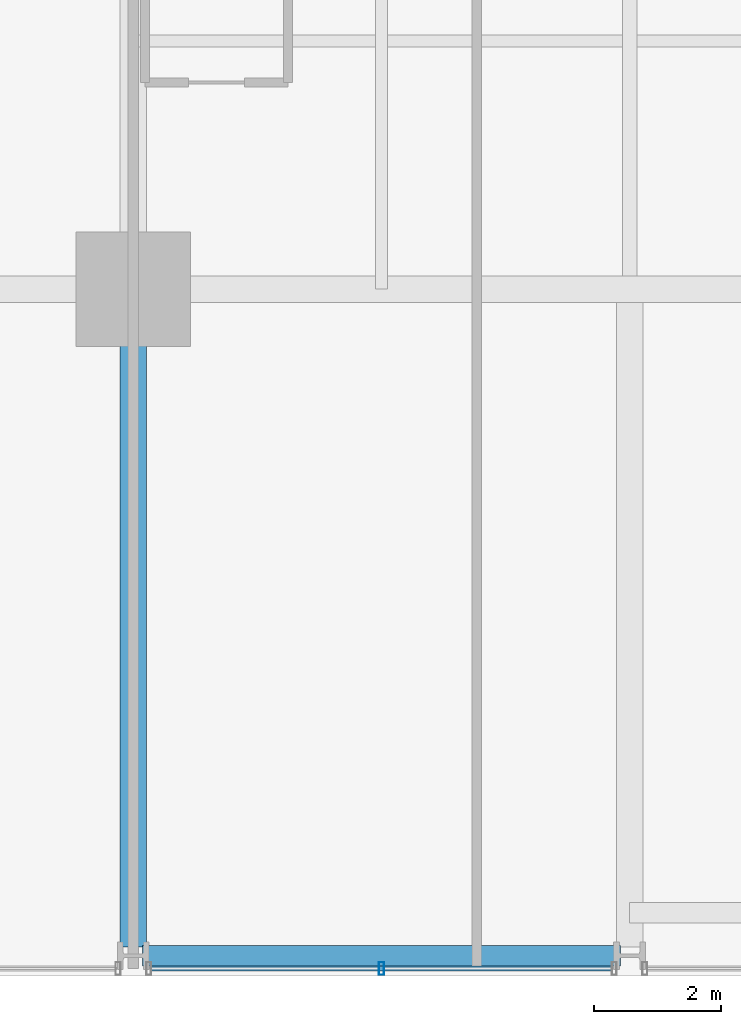
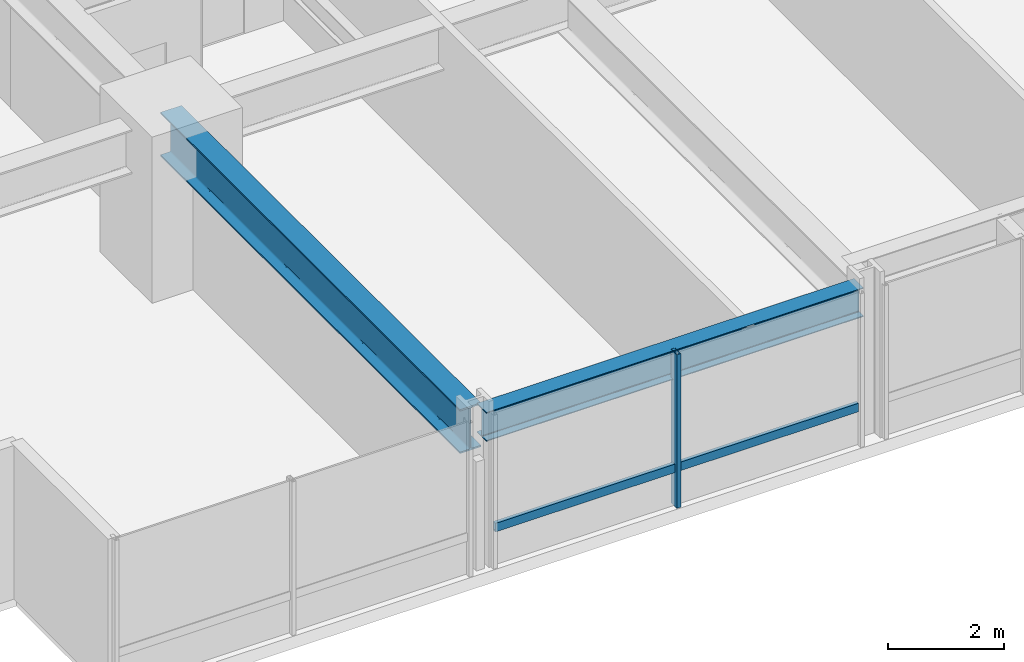
# One storey, part 3 of 39: 2 beams, 2 members, 1 element without a shape of its own.
"""IFC4 building model written with IfcOpenShell, lengths in metres."""

from ifc_helpers import new_model, si_unit, direction, frame, origin, origin_2d, place, context, subcontext, project, spatial, hollow_rectangle, i_section, extrude, material, layer, layer_set, material_profile, profile_set, type_object, element, aggregate, save


model = new_model("IFC4")

# Units and contexts
model_context = context("Model", 3, precision=1e-05, world=origin(), true_north=direction((0.0, 1.0)))
body_context = subcontext(model_context, "Body", "Model", "MODEL_VIEW")
ifc_project = project(units=[si_unit("LENGTHUNIT", "METRE"), si_unit("AREAUNIT", "SQUARE_METRE"), si_unit("VOLUMEUNIT", "CUBIC_METRE"), si_unit("PLANEANGLEUNIT", "RADIAN"), si_unit("MASSUNIT", "GRAM", prefix="KILO")], contexts=[model_context])

# Site, building, storey
site_placement = place(None, origin())
site = spatial("IfcSite", under=ifc_project, at=site_placement, CompositionType="ELEMENT")
building_placement = place(site_placement, origin())
building = spatial("IfcBuilding", under=site, at=building_placement, Name="Drelvath Grand Hotel", CompositionType="ELEMENT")
storey_placement = place(building_placement, frame((0.0, 0.0, 54.199951171875)))
storey = spatial("IfcBuildingStorey", under=building, at=storey_placement, Name="L12", CompositionType="ELEMENT", Elevation=54.199951171875)

# Curtain wall, members
ifc_material_1 = material(Name="Warm Bronze Anodised Aluminium Frame", Category="aluminium")
ifc_layer = layer(ifc_material_1, 0.199951171875)
ifc_layer_set = layer_set([ifc_layer], Name="Warm Bronze Anodised Aluminium Frame")
curtain_wall_type = type_object("IfcCurtainWallType", Name="Stick Curtain Wall CW-02 Warm Bronze Low-Rise", PredefinedType="NOTDEFINED", material=ifc_layer_set)
curtain_wall_placement = place(storey_placement, origin())
curtain_wall = element("IfcCurtainWall", 1, at=curtain_wall_placement, inside=storey, type_object=curtain_wall_type, Name="L12 CW-02 Curtain Wall CW02-L12-SW2", PredefinedType="NOTDEFINED")
ifc_material_profile_1 = material_profile(ifc_material_1, hollow_rectangle(XDim=0.074951171875, YDim=0.179931640625, WallThickness=0.0048828125, at=origin_2d()), Name="HSS180X75X5")
ifc_profile_set_1 = profile_set([ifc_material_profile_1], Name="Warm Bronze Anodised Aluminium Frame")
member_type_1 = type_object("IfcMemberType", Name="Curtain Wall Horizontal Transom CW-02 HSS180X75X5", PredefinedType="USERDEFINED", material=ifc_profile_set_1)
member_1_placement = place(storey_placement, frame((-8.680908203125, 0.1201171875, 0.81005859375), z_axis=(-1.0, 0.0, 0.0), x_axis=(0.0, -1.0, 0.0)))
member_1 = element("IfcMember", 2, at=member_1_placement, type_object=member_type_1, Name="CW02-L12-SW2 Sill Transom", ObjectType="TRANSOM", PredefinedType="USERDEFINED", context=body_context, shape_type="SweptSolid", body=[
    extrude(hollow_rectangle(XDim=0.074951171875, YDim=0.179931640625, WallThickness=0.0048828125, at=origin_2d()), origin(), (0.0, 0.0, 1.0), 7.23828125),
])
ifc_material_profile_2 = material_profile(ifc_material_1, hollow_rectangle(XDim=0.080078125, YDim=0.199951171875, WallThickness=0.0048828125, at=origin_2d()), Name="HSS200X80X5")
ifc_profile_set_2 = profile_set([ifc_material_profile_2], Name="Warm Bronze Anodised Aluminium Frame")
member_type_2 = type_object("IfcMemberType", Name="Curtain Wall Vertical Mullion CW-02 HSS200X80X5", PredefinedType="MULLION", material=ifc_profile_set_2)
member_2_placement = place(storey_placement, frame((-12.300048828125, 0.1201171875, 0.0), z_axis=(0.0, 0.0, 1.0), x_axis=(1.0, 0.0, 0.0)))
member_2 = element("IfcMember", 3, at=member_2_placement, type_object=member_type_2, Name="CW02-L12-SW2 Mullion 2", PredefinedType="MULLION", context=body_context, shape_type="SweptSolid", body=[
    extrude(hollow_rectangle(XDim=0.080078125, YDim=0.199951171875, WallThickness=0.0048828125, at=origin_2d()), origin(), (0.0, 0.0, 1.0), 3.239990234375),
])
aggregate(curtain_wall, [member_2, member_1])

# Beams
ifc_material_2 = material(Name="Steel ASTM A992 Gr 50", Category="steel")
ifc_material_profile_3 = material_profile(ifc_material_2, i_section(OverallWidth=0.323974609375, OverallDepth=0.611083984375, WebThickness=0.0126953125, FlangeThickness=0.01904296875, FilletRadius=0.02197265625, at=origin_2d()), Name="W24X104")
ifc_profile_set_3 = profile_set([ifc_material_profile_3], Name="Steel ASTM A992 Gr 50")
beam_type_1 = type_object("IfcBeamType", Name="Perimeter Spandrel Beam W24X104", PredefinedType="SPANDREL", material=ifc_profile_set_3)
beam_1_placement = place(storey_placement, frame((-16.06005859375, 0.320068359375, 2.9345703125), z_axis=(1.0, 0.0, 0.0), x_axis=(0.0, 1.0, 0.0)))
element("IfcBeam", 4, at=beam_1_placement, inside=storey, type_object=beam_type_1, Name="L12 Spandrel South W", PredefinedType="SPANDREL", context=body_context, shape_type="SweptSolid", body=[
    extrude(i_section(OverallWidth=0.323974609375, OverallDepth=0.611083984375, WebThickness=0.0126953125, FlangeThickness=0.01904296875, FilletRadius=0.02197265625, at=origin_2d()), origin(), (0.0, 0.0, 1.0), 7.52001953125),
])
ifc_material_profile_4 = material_profile(ifc_material_2, i_section(OverallWidth=0.418212890625, OverallDepth=0.926513671875, WebThickness=0.019287109375, FlangeThickness=0.031982421875, FilletRadius=0.028076171875, at=origin_2d()), Name="W36X231")
ifc_profile_set_4 = profile_set([ifc_material_profile_4], Name="Steel ASTM A992 Gr 50")
beam_type_2 = type_object("IfcBeamType", Name="Primary Floor Girder W36X231", PredefinedType="BEAM", material=ifc_profile_set_4)
beam_2_placement = place(storey_placement, frame((-16.199951171875, 0.4599609375, 2.77685546875), z_axis=(0.0, 1.0, 0.0), x_axis=(-1.0, 0.0, 0.0)))
element("IfcBeam", 5, at=beam_2_placement, inside=storey, type_object=beam_type_2, Name="L12 South Grid Girder 3", PredefinedType="BEAM", context=body_context, shape_type="SweptSolid", body=[
    extrude(i_section(OverallWidth=0.418212890625, OverallDepth=0.926513671875, WebThickness=0.019287109375, FlangeThickness=0.031982421875, FilletRadius=0.028076171875, at=origin_2d()), origin(), (0.0, 0.0, 1.0), 10.340087890625),
])

save(model, "model.ifc")
